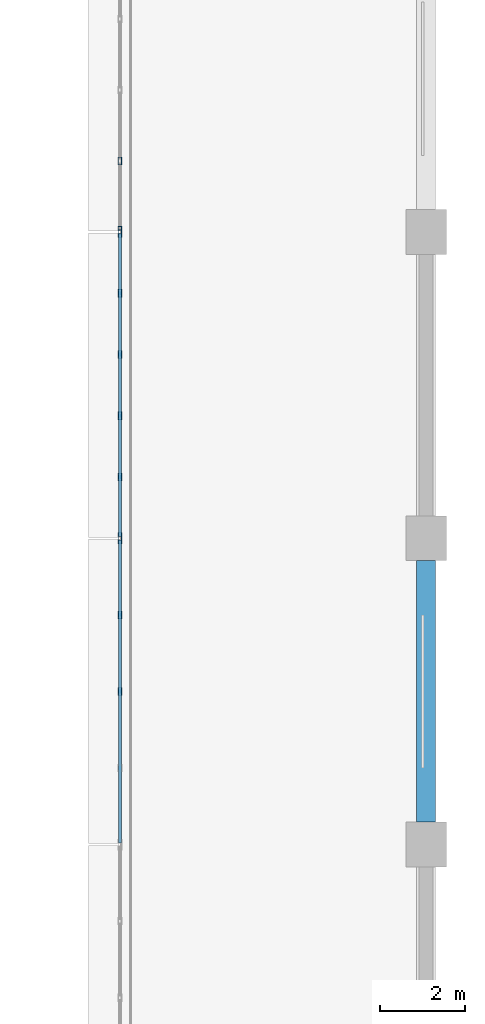
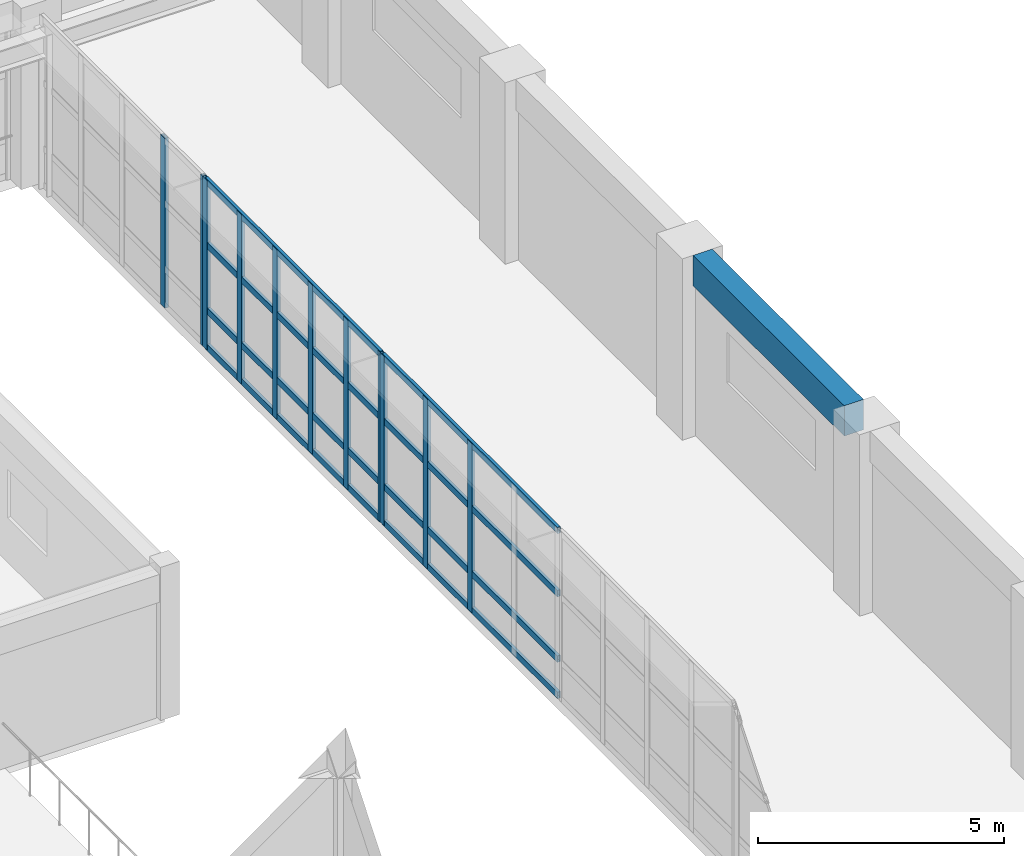
# One storey, part 101 of 171: 19 members, 1 beam, 3 elements without a shape of their own.
"""IFC4 building model written with IfcOpenShell, lengths in metres."""

from ifc_helpers import new_model, si_unit, direction, frame, origin, origin_2d, place, context, subcontext, project, spatial, rectangle, hollow_rectangle, extrude, material, material_profile, profile_set, type_object, element, aggregate, save


model = new_model("IFC4")

# Units and contexts
model_context = context("Model", 3, precision=1e-05, world=origin(), true_north=direction((0.0, 1.0)))
body_context = subcontext(model_context, "Body", "Model", "MODEL_VIEW")
ifc_project = project(units=[si_unit("LENGTHUNIT", "METRE"), si_unit("AREAUNIT", "SQUARE_METRE"), si_unit("VOLUMEUNIT", "CUBIC_METRE"), si_unit("PLANEANGLEUNIT", "RADIAN"), si_unit("MASSUNIT", "GRAM", prefix="KILO")], contexts=[model_context])

# Site, building, storey
site_placement = place(None, origin())
site = spatial("IfcSite", under=ifc_project, at=site_placement, CompositionType="ELEMENT")
building_placement = place(site_placement, origin())
building = spatial("IfcBuilding", under=site, at=building_placement, Name="Thalmaran Polytechnic", CompositionType="ELEMENT")
storey_placement = place(building_placement, frame((0.0, 0.0, 5.39990234375)))
storey = spatial("IfcBuildingStorey", under=building, at=storey_placement, Name="L01", CompositionType="ELEMENT", Elevation=5.39990234375)

# Beam
ifc_material_1 = material(Name="Concrete C40/50", Category="concrete")
ifc_material_profile_1 = material_profile(ifc_material_1, rectangle(XDim=0.449951171875, YDim=0.7548828125, at=origin_2d()), Name="RC 450x755")
ifc_profile_set_1 = profile_set([ifc_material_profile_1], Name="Concrete C40/50")
beam_type = type_object("IfcBeamType", Name="BM-SP02", PredefinedType="SPANDREL", material=ifc_profile_set_1)
beam_placement = place(storey_placement, frame((172.800048828125, 29.324951171875, 4.12255859375), z_axis=(0.0, 1.0, 0.0), x_axis=(-1.0, 0.0, 0.0)))
element("IfcBeam", 1, at=beam_placement, inside=storey, type_object=beam_type, Name="Grid Beam SP02 L01 Y(24,4)", PredefinedType="SPANDREL", context=body_context, shape_type="SweptSolid", body=[
    extrude(rectangle(XDim=0.449951171875, YDim=0.7548828125, at=origin_2d()), origin(), (0.0, 0.0, 1.0), 6.150146484375),
])

# Curtain wall, members
ifc_material_2 = material(Name="Aluminium 6063-T6", Category="aluminium")
curtain_wall_type = type_object("IfcCurtainWallType", Name="CW-UC02", PredefinedType="USERDEFINED", material=ifc_material_2)
curtain_wall_1_placement = place(storey_placement, origin())
curtain_wall_1 = element("IfcCurtainWall", 2, at=curtain_wall_1_placement, inside=storey, type_object=curtain_wall_type, Name="Curtain Wall CW-L01-121", ObjectType="UNITISED CURTAIN WALL", PredefinedType="USERDEFINED")
ifc_material_profile_2 = material_profile(ifc_material_2, hollow_rectangle(XDim=0.080078125, YDim=0.179931640625, WallThickness=0.0048828125, at=origin_2d()), Name="RHS 180x80x5.0")
ifc_profile_set_2 = profile_set([ifc_material_profile_2], Name="Aluminium 6063-T6")
member_type_1 = type_object("IfcMemberType", Name="CW-MUL1", PredefinedType="MULLION", material=ifc_profile_set_2)
member_1_placement = place(storey_placement, frame((165.60009765625, 32.39990234375, 0.0), z_axis=(0.0, 0.0, 1.0), x_axis=(1.0, 0.0, 0.0)))
member_1 = element("IfcMember", 3, at=member_1_placement, type_object=member_type_1, Name="CW-L01-121 Mullion 3", PredefinedType="MULLION", context=body_context, shape_type="SweptSolid", body=[
    extrude(hollow_rectangle(XDim=0.080078125, YDim=0.179931640625, WallThickness=0.0048828125, at=origin_2d()), origin(), (0.0, 0.0, 1.0), 4.210205078125),
])
member_2_placement = place(storey_placement, frame((165.60009765625, 34.199951171875, 0.0), z_axis=(0.0, 0.0, 1.0), x_axis=(1.0, 0.0, 0.0)))
member_2 = element("IfcMember", 4, at=member_2_placement, type_object=member_type_1, Name="CW-L01-121 Mullion 4", PredefinedType="MULLION", context=body_context, shape_type="SweptSolid", body=[
    extrude(hollow_rectangle(XDim=0.080078125, YDim=0.179931640625, WallThickness=0.0048828125, at=origin_2d()), origin(), (0.0, 0.0, 1.0), 4.210205078125),
])
member_3_placement = place(storey_placement, frame((165.60009765625, 35.9599609375, 0.0), z_axis=(0.0, 0.0, 1.0), x_axis=(1.0, 0.0, 0.0)))
member_3 = element("IfcMember", 5, at=member_3_placement, type_object=member_type_1, Name="CW-L01-121 Mullion 5", PredefinedType="MULLION", context=body_context, shape_type="SweptSolid", body=[
    extrude(hollow_rectangle(XDim=0.080078125, YDim=0.179931640625, WallThickness=0.0048828125, at=origin_2d()), origin(), (0.0, 0.0, 1.0), 4.210205078125),
])

curtain_wall_2_placement = place(storey_placement, origin())
curtain_wall_2 = element("IfcCurtainWall", 6, at=curtain_wall_2_placement, inside=storey, type_object=curtain_wall_type, Name="Curtain Wall CW-L01-122", ObjectType="UNITISED CURTAIN WALL", PredefinedType="USERDEFINED")
member_4_placement = place(storey_placement, frame((165.60009765625, 36.0400390625, 0.0), z_axis=(0.0, 0.0, 1.0), x_axis=(1.0, 0.0, 0.0)))
member_4 = element("IfcMember", 7, at=member_4_placement, type_object=member_type_1, Name="CW-L01-122 Mullion 1", PredefinedType="MULLION", context=body_context, shape_type="SweptSolid", body=[
    extrude(hollow_rectangle(XDim=0.080078125, YDim=0.179931640625, WallThickness=0.0048828125, at=origin_2d()), origin(), (0.0, 0.0, 1.0), 4.210205078125),
])
member_5_placement = place(storey_placement, frame((165.60009765625, 37.43994140625, 0.0), z_axis=(0.0, 0.0, 1.0), x_axis=(1.0, 0.0, 0.0)))
member_5 = element("IfcMember", 8, at=member_5_placement, type_object=member_type_1, Name="CW-L01-122 Mullion 2", PredefinedType="MULLION", context=body_context, shape_type="SweptSolid", body=[
    extrude(hollow_rectangle(XDim=0.080078125, YDim=0.179931640625, WallThickness=0.0048828125, at=origin_2d()), origin(), (0.0, 0.0, 1.0), 4.210205078125),
])
member_6_placement = place(storey_placement, frame((165.60009765625, 38.8798828125, 0.0), z_axis=(0.0, 0.0, 1.0), x_axis=(1.0, 0.0, 0.0)))
member_6 = element("IfcMember", 9, at=member_6_placement, type_object=member_type_1, Name="CW-L01-122 Mullion 3", PredefinedType="MULLION", context=body_context, shape_type="SweptSolid", body=[
    extrude(hollow_rectangle(XDim=0.080078125, YDim=0.179931640625, WallThickness=0.0048828125, at=origin_2d()), origin(), (0.0, 0.0, 1.0), 4.210205078125),
])
member_7_placement = place(storey_placement, frame((165.60009765625, 40.320068359375, 0.0), z_axis=(0.0, 0.0, 1.0), x_axis=(1.0, 0.0, 0.0)))
member_7 = element("IfcMember", 10, at=member_7_placement, type_object=member_type_1, Name="CW-L01-122 Mullion 4", PredefinedType="MULLION", context=body_context, shape_type="SweptSolid", body=[
    extrude(hollow_rectangle(XDim=0.080078125, YDim=0.179931640625, WallThickness=0.0048828125, at=origin_2d()), origin(), (0.0, 0.0, 1.0), 4.210205078125),
])
member_8_placement = place(storey_placement, frame((165.60009765625, 41.760009765625, 0.0), z_axis=(0.0, 0.0, 1.0), x_axis=(1.0, 0.0, 0.0)))
member_8 = element("IfcMember", 11, at=member_8_placement, type_object=member_type_1, Name="CW-L01-122 Mullion 5", PredefinedType="MULLION", context=body_context, shape_type="SweptSolid", body=[
    extrude(hollow_rectangle(XDim=0.080078125, YDim=0.179931640625, WallThickness=0.0048828125, at=origin_2d()), origin(), (0.0, 0.0, 1.0), 4.210205078125),
])
member_9_placement = place(storey_placement, frame((165.60009765625, 43.159912109375, 0.0), z_axis=(0.0, 0.0, 1.0), x_axis=(1.0, 0.0, 0.0)))
member_9 = element("IfcMember", 12, at=member_9_placement, type_object=member_type_1, Name="CW-L01-122 Mullion 6", PredefinedType="MULLION", context=body_context, shape_type="SweptSolid", body=[
    extrude(hollow_rectangle(XDim=0.080078125, YDim=0.179931640625, WallThickness=0.0048828125, at=origin_2d()), origin(), (0.0, 0.0, 1.0), 4.210205078125),
])

curtain_wall_3_placement = place(storey_placement, origin())
curtain_wall_3 = element("IfcCurtainWall", 13, at=curtain_wall_3_placement, inside=storey, type_object=curtain_wall_type, Name="Curtain Wall CW-L01-123", ObjectType="UNITISED CURTAIN WALL", PredefinedType="USERDEFINED")
member_10_placement = place(storey_placement, frame((165.60009765625, 43.239990234375, 0.0), z_axis=(0.0, 0.0, 1.0), x_axis=(1.0, 0.0, 0.0)))
member_10 = element("IfcMember", 14, at=member_10_placement, type_object=member_type_1, Name="CW-L01-123 Mullion 1", PredefinedType="MULLION", context=body_context, shape_type="SweptSolid", body=[
    extrude(hollow_rectangle(XDim=0.080078125, YDim=0.179931640625, WallThickness=0.0048828125, at=origin_2d()), origin(), (0.0, 0.0, 1.0), 4.210205078125),
])
member_11_placement = place(storey_placement, frame((165.60009765625, 44.86865234375, 0.0), z_axis=(0.0, 0.0, 1.0), x_axis=(1.0, 0.0, 0.0)))
member_11 = element("IfcMember", 15, at=member_11_placement, type_object=member_type_1, Name="CW-L01-123 Mullion 2", PredefinedType="MULLION", context=body_context, shape_type="SweptSolid", body=[
    extrude(hollow_rectangle(XDim=0.080078125, YDim=0.179931640625, WallThickness=0.0048828125, at=origin_2d()), origin(), (0.0, 0.0, 1.0), 4.210205078125),
])
aggregate(curtain_wall_3, [member_10, member_11])

# Member
ifc_material_profile_3 = material_profile(ifc_material_2, hollow_rectangle(XDim=0.070068359375, YDim=0.159912109375, WallThickness=0.00390625, at=origin_2d()), Name="AL 160x70x4.0")
ifc_profile_set_3 = profile_set([ifc_material_profile_3], Name="Aluminium 6063-T6")
member_type_2 = type_object("IfcMemberType", Name="CW-TRN1", PredefinedType="USERDEFINED", material=ifc_profile_set_3)
member_12_placement = place(storey_placement, frame((165.60009765625, 28.840087890625, 0.06005859375), z_axis=(0.0, 1.0, 0.0), x_axis=(-1.0, 0.0, 0.0)))
member_12 = element("IfcMember", 16, at=member_12_placement, type_object=member_type_2, Name="CW-L01-121 Transom 1", ObjectType="TRANSOM", PredefinedType="USERDEFINED", context=body_context, shape_type="SweptSolid", body=[
    extrude(hollow_rectangle(XDim=0.070068359375, YDim=0.159912109375, WallThickness=0.00390625, at=origin_2d()), origin(), (0.0, 0.0, 1.0), 7.119873046875),
])

member_13_placement = place(storey_placement, frame((165.60009765625, 28.840087890625, 0.960205078125), z_axis=(0.0, 1.0, 0.0), x_axis=(-1.0, 0.0, 0.0)))
member_13 = element("IfcMember", 17, at=member_13_placement, type_object=member_type_2, Name="CW-L01-121 Transom 2", ObjectType="TRANSOM", PredefinedType="USERDEFINED", context=body_context, shape_type="SweptSolid", body=[
    extrude(hollow_rectangle(XDim=0.070068359375, YDim=0.159912109375, WallThickness=0.00390625, at=origin_2d()), origin(), (0.0, 0.0, 1.0), 7.119873046875),
])

member_14_placement = place(storey_placement, frame((165.60009765625, 28.840087890625, 2.585205078125), z_axis=(0.0, 1.0, 0.0), x_axis=(-1.0, 0.0, 0.0)))
member_14 = element("IfcMember", 18, at=member_14_placement, type_object=member_type_2, Name="CW-L01-121 Transom 3", ObjectType="TRANSOM", PredefinedType="USERDEFINED", context=body_context, shape_type="SweptSolid", body=[
    extrude(hollow_rectangle(XDim=0.070068359375, YDim=0.159912109375, WallThickness=0.00390625, at=origin_2d()), origin(), (0.0, 0.0, 1.0), 7.119873046875),
])

member_15_placement = place(storey_placement, frame((165.60009765625, 28.840087890625, 4.150146484375), z_axis=(0.0, 1.0, 0.0), x_axis=(-1.0, 0.0, 0.0)))
member_15 = element("IfcMember", 19, at=member_15_placement, type_object=member_type_2, Name="CW-L01-121 Transom 4", ObjectType="TRANSOM", PredefinedType="USERDEFINED", context=body_context, shape_type="SweptSolid", body=[
    extrude(hollow_rectangle(XDim=0.070068359375, YDim=0.159912109375, WallThickness=0.00390625, at=origin_2d()), origin(), (0.0, 0.0, 1.0), 7.119873046875),
])

aggregate(curtain_wall_1, [member_1, member_2, member_3, member_12, member_13, member_14, member_15])

member_16_placement = place(storey_placement, frame((165.60009765625, 36.0400390625, 0.06005859375), z_axis=(0.0, 1.0, 0.0), x_axis=(-1.0, 0.0, 0.0)))
member_16 = element("IfcMember", 20, at=member_16_placement, type_object=member_type_2, Name="CW-L01-122 Transom 1", ObjectType="TRANSOM", PredefinedType="USERDEFINED", context=body_context, shape_type="SweptSolid", body=[
    extrude(hollow_rectangle(XDim=0.070068359375, YDim=0.159912109375, WallThickness=0.00390625, at=origin_2d()), origin(), (0.0, 0.0, 1.0), 7.119873046875),
])

member_17_placement = place(storey_placement, frame((165.60009765625, 36.0400390625, 0.960205078125), z_axis=(0.0, 1.0, 0.0), x_axis=(-1.0, 0.0, 0.0)))
member_17 = element("IfcMember", 21, at=member_17_placement, type_object=member_type_2, Name="CW-L01-122 Transom 2", ObjectType="TRANSOM", PredefinedType="USERDEFINED", context=body_context, shape_type="SweptSolid", body=[
    extrude(hollow_rectangle(XDim=0.070068359375, YDim=0.159912109375, WallThickness=0.00390625, at=origin_2d()), origin(), (0.0, 0.0, 1.0), 7.119873046875),
])

member_18_placement = place(storey_placement, frame((165.60009765625, 36.0400390625, 2.585205078125), z_axis=(0.0, 1.0, 0.0), x_axis=(-1.0, 0.0, 0.0)))
member_18 = element("IfcMember", 22, at=member_18_placement, type_object=member_type_2, Name="CW-L01-122 Transom 3", ObjectType="TRANSOM", PredefinedType="USERDEFINED", context=body_context, shape_type="SweptSolid", body=[
    extrude(hollow_rectangle(XDim=0.070068359375, YDim=0.159912109375, WallThickness=0.00390625, at=origin_2d()), origin(), (0.0, 0.0, 1.0), 7.119873046875),
])

member_19_placement = place(storey_placement, frame((165.60009765625, 36.0400390625, 4.150146484375), z_axis=(0.0, 1.0, 0.0), x_axis=(-1.0, 0.0, 0.0)))
member_19 = element("IfcMember", 23, at=member_19_placement, type_object=member_type_2, Name="CW-L01-122 Transom 4", ObjectType="TRANSOM", PredefinedType="USERDEFINED", context=body_context, shape_type="SweptSolid", body=[
    extrude(hollow_rectangle(XDim=0.070068359375, YDim=0.159912109375, WallThickness=0.00390625, at=origin_2d()), origin(), (0.0, 0.0, 1.0), 7.119873046875),
])

aggregate(curtain_wall_2, [member_4, member_5, member_6, member_7, member_8, member_9, member_16, member_17, member_18, member_19])

save(model, "model.ifc")
